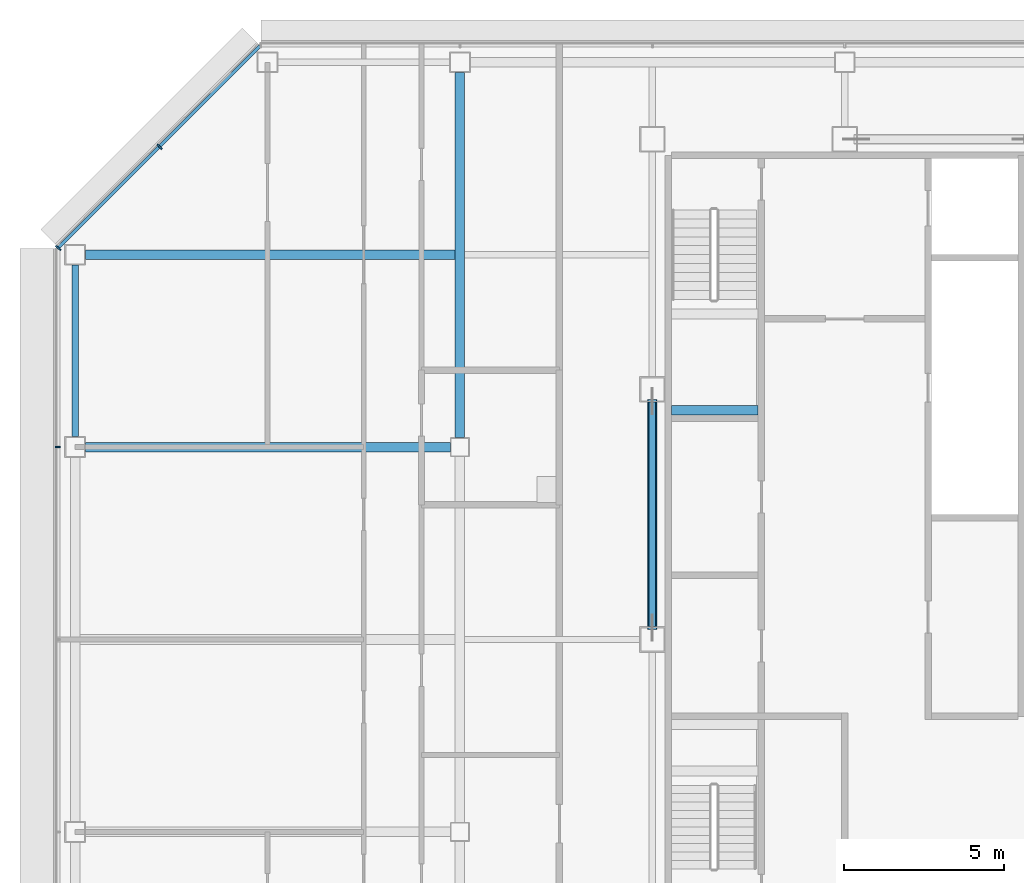
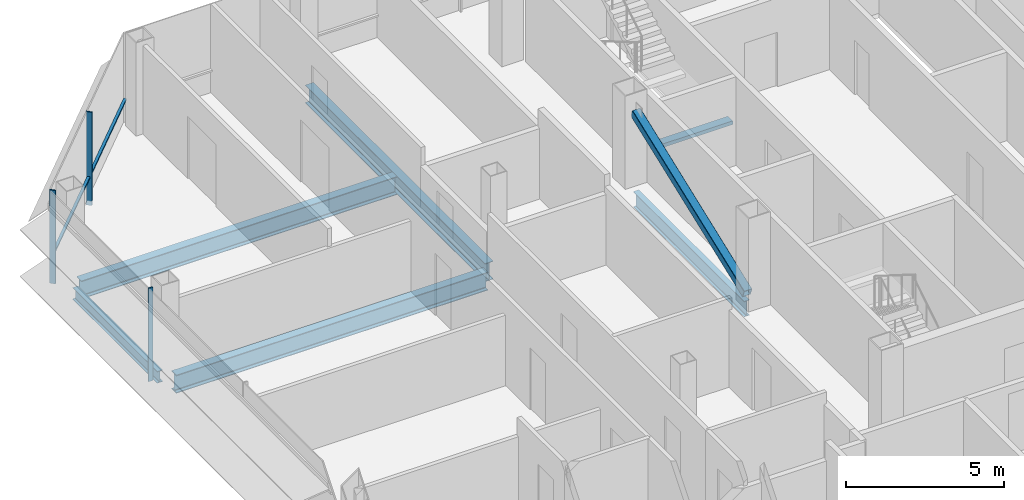
# One storey, part 11 of 26: 6 beams, 5 members, 2 elements without a shape of their own.
"""IFC4 building model written with IfcOpenShell, lengths in metres."""

from ifc_helpers import new_model, si_unit, direction, frame, origin, origin_2d, place, context, subcontext, project, spatial, rectangle, hollow_rectangle, i_section, extrude, material, material_profile, profile_set, type_object, element, aggregate, save


model = new_model("IFC4")

# Units and contexts
model_context = context("Model", 3, precision=1e-05, world=origin(), true_north=direction((0.0, 1.0)))
body_context = subcontext(model_context, "Body", "Model", "MODEL_VIEW")
ifc_project = project(units=[si_unit("LENGTHUNIT", "METRE"), si_unit("AREAUNIT", "SQUARE_METRE"), si_unit("VOLUMEUNIT", "CUBIC_METRE"), si_unit("PLANEANGLEUNIT", "RADIAN"), si_unit("MASSUNIT", "GRAM", prefix="KILO")], contexts=[model_context])

# Site, building, storey
site_placement = place(None, origin())
site = spatial("IfcSite", under=ifc_project, at=site_placement, CompositionType="ELEMENT")
building_placement = place(site_placement, origin())
building = spatial("IfcBuilding", under=site, at=building_placement, Name="Sorahane Residences", CompositionType="ELEMENT")
storey_placement = place(building_placement, frame((0.0, 0.0, 222.60009765625)))
storey = spatial("IfcBuildingStorey", under=building, at=storey_placement, Name="L52", CompositionType="ELEMENT", Elevation=222.60009765625)

# Member
ifc_material_1 = material(Name="Steel Q355B", Category="steel")
ifc_material_profile_1 = material_profile(ifc_material_1, hollow_rectangle(XDim=0.300048828125, YDim=0.300048828125, WallThickness=0.01611328125, InnerFilletRadius=0.008056640625, OuterFilletRadius=0.02392578125, at=origin_2d()), Name="RHS 300x300x16")
ifc_profile_set_1 = profile_set([ifc_material_profile_1], Name="Steel Q355B")
member_type_1 = type_object("IfcMemberType", Name="Core brace RHS 300x300x16 Q355B", PredefinedType="BRACE", material=ifc_profile_set_1)
member_1_placement = place(storey_placement, frame((6.0, 30.367919921875, 0.1376953125), z_axis=(0.0, 0.934346475268, 0.35636591329), x_axis=(-1.0, 0.0, 0.0)))
element("IfcMember", 1, at=member_1_placement, inside=storey, type_object=member_type_1, Name="Core brace L52 x6-2", PredefinedType="BRACE", context=body_context, shape_type="SweptSolid", body=[
    extrude(hollow_rectangle(XDim=0.300048828125, YDim=0.300048828125, WallThickness=0.01611328125, InnerFilletRadius=0.008056640625, OuterFilletRadius=0.02392578125, at=origin_2d()), origin(), (0.0, 0.0, 1.0), 7.560546875),
])

# Curtain wall, member
ifc_material_2 = material(Name="Dark low-e glass and black anodised aluminium", Category="aluminium")
curtain_wall_type_1 = type_object("IfcCurtainWallType", Name="Curtain wall CW-1 Typical unitised wall", PredefinedType="NOTDEFINED", material=ifc_material_2)
curtain_wall_1_placement = place(storey_placement, origin())
curtain_wall_1 = element("IfcCurtainWall", 2, at=curtain_wall_1_placement, inside=storey, type_object=curtain_wall_type_1, Name="CW-1 curtain wall L52 W1", PredefinedType="NOTDEFINED")
ifc_material_3 = material(Name="Black anodised aluminium", Category="aluminium")
ifc_material_profile_2 = material_profile(ifc_material_3, rectangle(XDim=0.159912109375, YDim=0.050048828125, at=origin_2d()), Name="Curtain wall mullion CW-1 black anodised aluminium 50x160")
ifc_profile_set_2 = profile_set([ifc_material_profile_2], Name="Black anodised aluminium")
member_type_2 = type_object("IfcMemberType", Name="Curtain wall mullion CW-1 black anodised aluminium 50x160", PredefinedType="MULLION", material=ifc_profile_set_2)
member_2_placement = place(storey_placement, frame((-12.5400390625, 36.0, -0.18017578125), z_axis=(0.0, 0.0, 1.0), x_axis=(-1.0, 0.0, 0.0)))
member_2 = element("IfcMember", 3, at=member_2_placement, type_object=member_type_2, Name="CW-1 mullion L52 W1.2", PredefinedType="MULLION", context=body_context, shape_type="SweptSolid", body=[
    extrude(rectangle(XDim=0.159912109375, YDim=0.050048828125, at=origin_2d()), origin(), (0.0, 0.0, 1.0), 3.60009765625),
])
aggregate(curtain_wall_1, [member_2])

# Curtain wall, members
ifc_material_4 = material(Name="Dark low-e glass and black anodised aluminium", Category="aluminium")
curtain_wall_type_2 = type_object("IfcCurtainWallType", Name="Curtain wall CW-2 Chamfer unitised wall", PredefinedType="NOTDEFINED", material=ifc_material_4)
curtain_wall_2_placement = place(storey_placement, origin())
curtain_wall_2 = element("IfcCurtainWall", 4, at=curtain_wall_2_placement, inside=storey, type_object=curtain_wall_type_2, Name="CW-2 curtain wall L52 NW1", PredefinedType="NOTDEFINED")
ifc_material_5 = material(Name="Black anodised aluminium", Category="aluminium")
ifc_material_profile_3 = material_profile(ifc_material_5, rectangle(XDim=0.199951171875, YDim=0.050048828125, at=origin_2d()), Name="Curtain wall mullion CW-2 black anodised aluminium 50x200")
ifc_profile_set_3 = profile_set([ifc_material_profile_3], Name="Black anodised aluminium")
member_type_3 = type_object("IfcMemberType", Name="Curtain wall mullion CW-2 black anodised aluminium 50x200", PredefinedType="MULLION", material=ifc_profile_set_3)
member_3_placement = place(storey_placement, frame((-9.36767578125, 45.36767578125, -0.18017578125), z_axis=(0.0, 0.0, 1.0), x_axis=(-0.707106781187, 0.707106781187, 0.0)))
member_3 = element("IfcMember", 5, at=member_3_placement, type_object=member_type_3, Name="CW-2 mullion L52 NW1.2", PredefinedType="MULLION", context=body_context, shape_type="SweptSolid", body=[
    extrude(rectangle(XDim=0.199951171875, YDim=0.050048828125, at=origin_2d()), origin(), (0.0, 0.0, 1.0), 3.60009765625),
])
member_4_placement = place(storey_placement, frame((-12.525634765625, 42.209716796875, -0.18017578125), z_axis=(0.0, 0.0, 1.0), x_axis=(-0.707106781187, 0.707106781187, 0.0)))
member_4 = element("IfcMember", 6, at=member_4_placement, type_object=member_type_3, Name="CW-2 mullion L52 NW1.3", PredefinedType="MULLION", context=body_context, shape_type="SweptSolid", body=[
    extrude(rectangle(XDim=0.199951171875, YDim=0.050048828125, at=origin_2d()), origin(), (0.0, 0.0, 1.0), 3.60009765625),
])
ifc_material_6 = material(Name="Black anodised aluminium", Category="aluminium")
ifc_material_profile_4 = material_profile(ifc_material_6, rectangle(XDim=0.10009765625, YDim=0.06005859375, at=origin_2d()), Name="Curtain wall transom CW-2 black anodised aluminium 60x100")
ifc_profile_set_4 = profile_set([ifc_material_profile_4], Name="Black anodised aluminium")
member_type_4 = type_object("IfcMemberType", Name="Curtain wall transom CW-2 black anodised aluminium 60x100", PredefinedType="USERDEFINED", material=ifc_profile_set_4)
member_5_placement = place(storey_placement, frame((-6.234375, 48.51513671875, 0.89990234375), z_axis=(-0.707106781187, -0.707106781187, 0.0), x_axis=(0.707106781187, -0.707106781187, 0.0)))
member_5 = element("IfcMember", 7, at=member_5_placement, type_object=member_type_4, Name="CW-2 transom L52 NW1", ObjectType="TRANSOM", PredefinedType="USERDEFINED", context=body_context, shape_type="SweptSolid", body=[
    extrude(rectangle(XDim=0.10009765625, YDim=0.06005859375, at=origin_2d()), origin(), (0.0, 0.0, 1.0), 8.88232421875),
])
aggregate(curtain_wall_2, [member_3, member_4, member_5])

# Beams
ifc_material_7 = material(Name="Concrete C40", Category="concrete")
ifc_material_profile_5 = material_profile(ifc_material_7, rectangle(XDim=0.300048828125, YDim=0.139892578125, at=origin_2d()), Name="300x140")
ifc_profile_set_5 = profile_set([ifc_material_profile_5], Name="Concrete C40")
beam_type_1 = type_object("IfcBeamType", Name="RC landing beam 300 x 140 Concrete C40", PredefinedType="BEAM", material=ifc_profile_set_5)
beam_1_placement = place(storey_placement, frame((6.60009765625, 37.14990234375, 1.52978515625), z_axis=(1.0, 0.0, 0.0), x_axis=(0.0, 1.0, 0.0)))
element("IfcBeam", 8, at=beam_1_placement, inside=storey, type_object=beam_type_1, Name="Landing beam", PredefinedType="BEAM", context=body_context, shape_type="SweptSolid", body=[
    extrude(rectangle(XDim=0.300048828125, YDim=0.139892578125, at=origin_2d()), origin(), (0.0, 0.0, 1.0), 2.699951171875),
])
ifc_material_8 = material(Name="Steel Q355B", Category="steel")
ifc_material_profile_6 = material_profile(ifc_material_8, i_section(OverallWidth=0.199951171875, OverallDepth=0.449951171875, WebThickness=0.009033203125, FlangeThickness=0.013916015625, FilletRadius=0.02001953125, at=origin_2d()), Name="HN 450x200x9x14")
ifc_profile_set_6 = profile_set([ifc_material_profile_6], Name="Steel Q355B")
beam_type_2 = type_object("IfcBeamType", Name="Steel floor beam HN 450x200x9x14 Q355B", PredefinedType="BEAM", material=ifc_profile_set_6)
beam_2_placement = place(storey_placement, frame((-12.0, 36.324951171875, -0.405029296875), z_axis=(0.0, 1.0, 0.0), x_axis=(-1.0, 0.0, 0.0)))
element("IfcBeam", 9, at=beam_2_placement, inside=storey, type_object=beam_type_2, Name="Beam L52 023", PredefinedType="BEAM", context=body_context, shape_type="SweptSolid", body=[
    extrude(i_section(OverallWidth=0.199951171875, OverallDepth=0.449951171875, WebThickness=0.009033203125, FlangeThickness=0.013916015625, FilletRadius=0.02001953125, at=origin_2d()), origin(), (0.0, 0.0, 1.0), 5.35009765625),
])
ifc_material_9 = material(Name="Steel Q355B", Category="steel")
ifc_material_profile_7 = material_profile(ifc_material_9, i_section(OverallWidth=0.199951171875, OverallDepth=0.60009765625, WebThickness=0.010986328125, FlangeThickness=0.01708984375, FilletRadius=0.02392578125, at=origin_2d()), Name="HN 600x200x11x17")
ifc_profile_set_7 = profile_set([ifc_material_profile_7], Name="Steel Q355B")
beam_type_3 = type_object("IfcBeamType", Name="Steel floor beam HN 600x200x11x17 Q355B", PredefinedType="BEAM", material=ifc_profile_set_7)
beam_3_placement = place(storey_placement, frame((6.0, 30.39990234375, -0.47998046875), z_axis=(0.0, 1.0, 0.0), x_axis=(-1.0, 0.0, 0.0)))
element("IfcBeam", 10, at=beam_3_placement, inside=storey, type_object=beam_type_3, Name="Beam L52 031", PredefinedType="BEAM", context=body_context, shape_type="SweptSolid", body=[
    extrude(i_section(OverallWidth=0.199951171875, OverallDepth=0.60009765625, WebThickness=0.010986328125, FlangeThickness=0.01708984375, FilletRadius=0.02392578125, at=origin_2d()), origin(), (0.0, 0.0, 1.0), 7.0),
])
ifc_material_10 = material(Name="Steel Q355B", Category="steel")
ifc_material_profile_8 = material_profile(ifc_material_10, i_section(OverallWidth=0.300048828125, OverallDepth=0.699951171875, WebThickness=0.012939453125, FlangeThickness=0.02392578125, FilletRadius=0.028076171875, at=origin_2d()), Name="HN 700x300x13x24")
ifc_profile_set_8 = profile_set([ifc_material_profile_8], Name="Steel Q355B")
beam_type_4 = type_object("IfcBeamType", Name="Steel floor beam HN 700x300x13x24 Q355B", PredefinedType="BEAM", material=ifc_profile_set_8)
for number, where, z_axis, x_axis, name in (
    (11, (-11.675048828125, 36.0, -0.530029296875), (1.0, 0.0, 0.0), (0.0, 1.0, 0.0), "Beam L52 013"),
    (12, (0.0, 36.300048828125, -0.530029296875), (0.0, 1.0, 0.0), (-1.0, 0.0, 0.0), "Beam L52 027"),
):
    element("IfcBeam", number, at=place(storey_placement, frame(where, z_axis=z_axis, x_axis=x_axis)), inside=storey, type_object=beam_type_4, Name=name, PredefinedType="BEAM", context=body_context, shape_type="SweptSolid", body=[
        extrude(i_section(OverallWidth=0.300048828125, OverallDepth=0.699951171875, WebThickness=0.012939453125, FlangeThickness=0.02392578125, FilletRadius=0.028076171875, at=origin_2d()), origin(), (0.0, 0.0, 1.0), 11.375),
    ])
beam_4_placement = place(storey_placement, frame((-11.675048828125, 42.0, -0.530029296875), z_axis=(1.0, 0.0, 0.0), x_axis=(0.0, 1.0, 0.0)))
element("IfcBeam", 13, at=beam_4_placement, inside=storey, type_object=beam_type_4, Name="Beam L52 089", PredefinedType="BEAM", context=body_context, shape_type="SweptSolid", body=[
    extrude(i_section(OverallWidth=0.300048828125, OverallDepth=0.699951171875, WebThickness=0.012939453125, FlangeThickness=0.02392578125, FilletRadius=0.028076171875, at=origin_2d()), origin(), (0.0, 0.0, 1.0), 11.525146484375),
])

save(model, "model.ifc")
